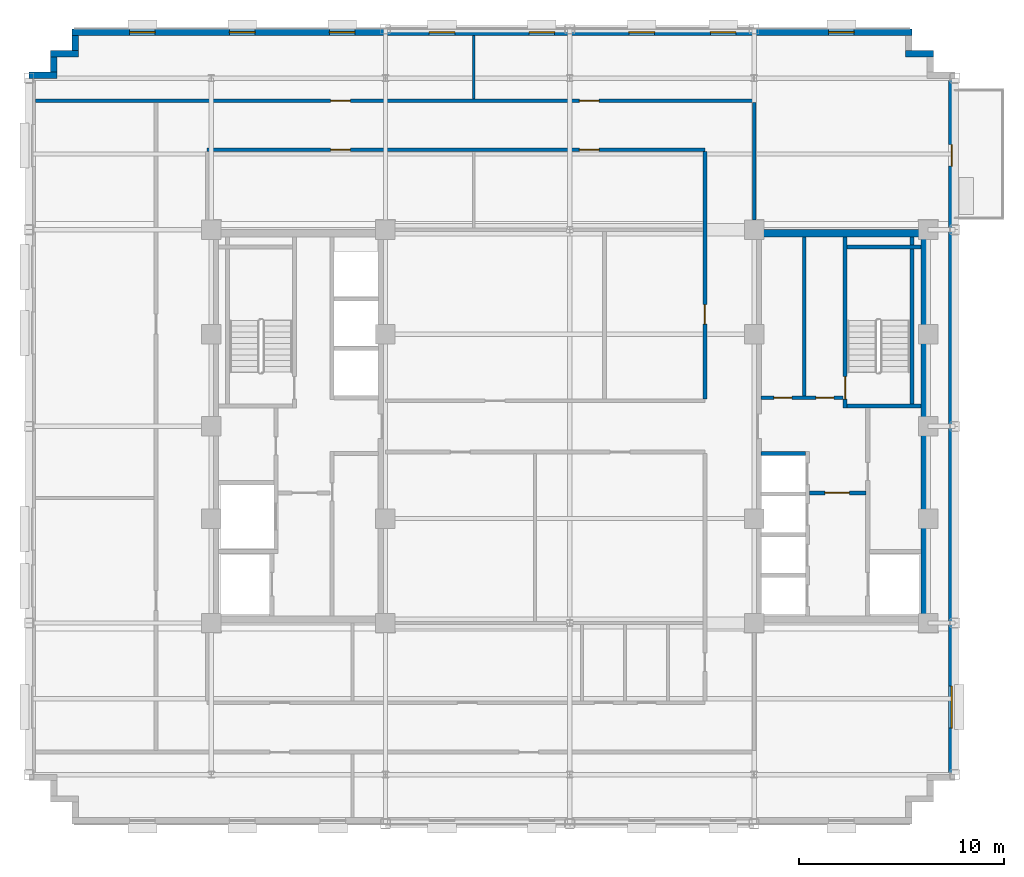
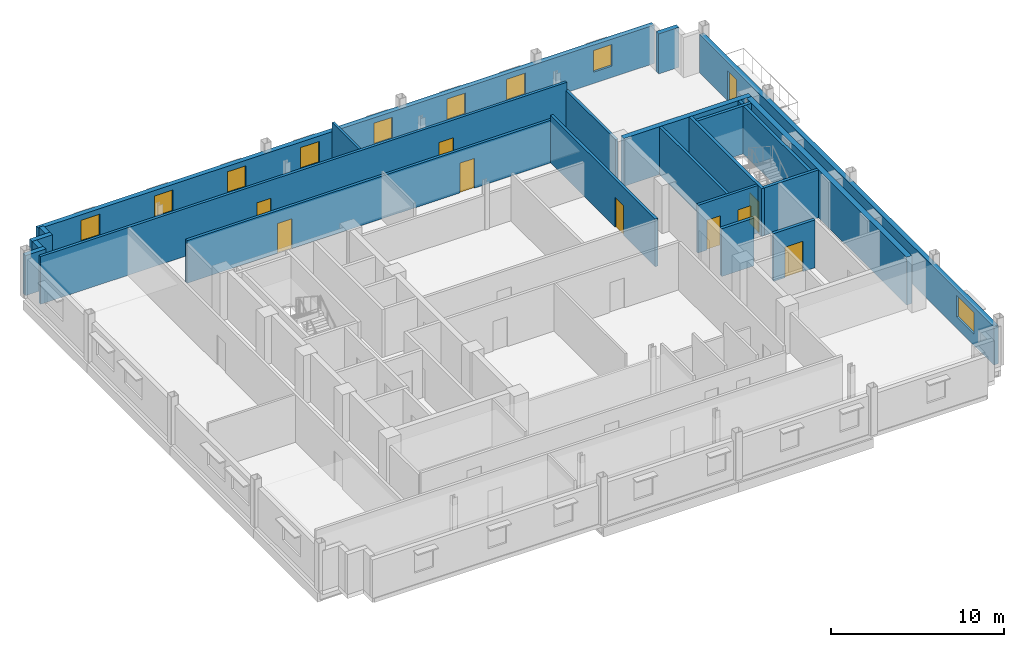
# One storey, part 8 of 13: 22 walls, 10 doors, 9 windows, 19 openings.
"""IFC4 building model written with IfcOpenShell, lengths in metres."""

import ifcopenshell
import ifcopenshell.guid

model = None  # the IFC model being written
_history = None  # IfcOwnerHistory: only IFC2X3 demands one
_inside = {}  # id of a spatial element -> (the spatial element, [elements in it])
_under = {}  # id of a project, library or spatial element -> (it, [spatial elements below it])
_declared = {}  # id of a project -> (the project, [libraries it declares])
_typed = {}  # id of a type object -> (the type object, [elements of that type])
_made_of = {}  # id of a material, layer set ... -> (it, [elements and type objects made of it])


def new_model(schema):
    """Start an empty IFC model of exactly this schema.

    Asked for "IFC4X3", IfcOpenShell would pick the latest addendum, in which some entities
    have other attributes; the version numbers below select the first issue.
    IFC2X3 requires an IfcOwnerHistory on every rooted entity: one is made here for all.
    """
    global model, _history
    if schema == "IFC4X3":
        model = ifcopenshell.file(schema_version=(4, 3, 0, 0))
    else:
        model = ifcopenshell.file(schema=schema)
    _inside.clear()
    _under.clear()
    _declared.clear()
    _typed.clear()
    _made_of.clear()
    _history = None
    if model.schema == "IFC2X3":
        org = make("IfcOrganization", Name="unknown")
        user = make(
            "IfcPersonAndOrganization",
            ThePerson=make("IfcPerson", FamilyName="unknown"),
            TheOrganization=org,
        )
        app = make(
            "IfcApplication",
            ApplicationDeveloper=org,
            Version="unknown",
            ApplicationFullName="unknown",
            ApplicationIdentifier="unknown",
        )
        _history = make(
            "IfcOwnerHistory",
            OwningUser=user,
            OwningApplication=app,
            ChangeAction="ADDED",
            CreationDate=0,
        )
    return model


def make(cls, **values):
    """One entity of the class cls with the attributes given. An attribute that is None is left unset."""
    return model.create_entity(
        cls, **{name: value for name, value in values.items() if value is not None}
    )


def rooted(cls, **values):
    """An entity with a GlobalId (a new one), such as an element, a storey or a relation."""
    return make(cls, GlobalId=ifcopenshell.guid.new(), OwnerHistory=_history, **values)


def si_unit(unit_type, name, prefix=None):
    """IfcSIUnit, for example si_unit("LENGTHUNIT", "METRE", prefix="MILLI")."""
    return make("IfcSIUnit", UnitType=unit_type, Prefix=prefix, Name=name)


def assignment(units):
    """IfcUnitAssignment: the units of a project."""
    return None if units is None else make("IfcUnitAssignment", Units=units)


def point(xyz):
    """IfcCartesianPoint."""
    return None if xyz is None else make("IfcCartesianPoint", Coordinates=xyz)


def direction(xyz):
    """IfcDirection."""
    return None if xyz is None else make("IfcDirection", DirectionRatios=xyz)


def frame(location, z_axis=None, x_axis=None):
    """IfcAxis2Placement3D, a coordinate frame: its origin and axes. An axis left out is left unset."""
    return make(
        "IfcAxis2Placement3D",
        Location=point(location),
        Axis=direction(z_axis),
        RefDirection=direction(x_axis),
    )


def frame_2d(location, x_axis=None):
    """IfcAxis2Placement2D, a coordinate frame in the plane: its origin and x axis."""
    return make(
        "IfcAxis2Placement2D", Location=point(location), RefDirection=direction(x_axis)
    )


def origin():
    """The frame at (0, 0, 0) with its axes left unset."""
    return frame((0.0, 0.0, 0.0))


def place(relative_to, where):
    """IfcLocalPlacement: puts the frame where relative to a parent placement (None: the world)."""
    return make(
        "IfcLocalPlacement", PlacementRelTo=relative_to, RelativePlacement=where
    )


def context(
    kind, dimensions, precision=None, world=None, true_north=None, identifier=None
):
    """IfcGeometricRepresentationContext, for example the 3D "Model" context."""
    return make(
        "IfcGeometricRepresentationContext",
        ContextIdentifier=identifier,
        ContextType=kind,
        CoordinateSpaceDimension=dimensions,
        Precision=precision,
        WorldCoordinateSystem=world,
        TrueNorth=true_north,
    )


def subcontext(parent, identifier, kind, view, scale=None):
    """IfcGeometricRepresentationSubContext, for example "Body" below "Model"."""
    return make(
        "IfcGeometricRepresentationSubContext",
        ContextIdentifier=identifier,
        ContextType=kind,
        ParentContext=parent,
        TargetScale=scale,
        TargetView=view,
    )


def project(units=None, contexts=None):
    """IfcProject with its units and contexts."""
    return rooted(
        "IfcProject",
        Name="project",
        RepresentationContexts=contexts,
        UnitsInContext=assignment(units),
    )


def spatial(cls, under=None, at=None, **own):
    """A site, building, storey or space (cls), placed at a placement, below another one or the project."""
    s = rooted(cls, ObjectPlacement=at, **own)
    if under is not None:
        _under.setdefault(under.id(), (under, []))[1].append(s)
    return s


def profile(cls, at=None, kind="AREA", **sizes):
    """A parametric profile (cls). Its sizes go by their IFC names, for example OverallWidth=200.0."""
    return make(cls, ProfileType=kind, Position=at, **sizes)


def rectangle(**sizes):
    """IfcRectangleProfileDef."""
    return profile("IfcRectangleProfileDef", **sizes)


def extrude(swept, where, along, depth):
    """IfcExtrudedAreaSolid: the profile swept, set in the frame where, extruded along a direction by depth."""
    return make(
        "IfcExtrudedAreaSolid",
        SweptArea=swept,
        Position=where,
        ExtrudedDirection=direction(along),
        Depth=depth,
    )


def shape(context_of_items, identifier, shape_type, items):
    """IfcShapeRepresentation: the items that make up one representation, for example the "Body"."""
    return make(
        "IfcShapeRepresentation",
        ContextOfItems=context_of_items,
        RepresentationIdentifier=identifier,
        RepresentationType=shape_type,
        Items=items,
    )


def source(mapping_origin, context_of_items, identifier, shape_type, items):
    """IfcRepresentationMap: a shape defined once, which mapped items show again and again."""
    return make(
        "IfcRepresentationMap",
        MappingOrigin=mapping_origin,
        MappedRepresentation=shape(context_of_items, identifier, shape_type, items),
    )


def transform(
    local_origin,
    x_axis=None,
    y_axis=None,
    z_axis=None,
    scale=None,
    scale2=None,
    scale3=None,
    uniform=True,
):
    """IfcCartesianTransformationOperator3D, or its non-uniform kind. x_axis, y_axis, z_axis: its Axis1, 2, 3."""
    if uniform:
        return make(
            "IfcCartesianTransformationOperator3D",
            Axis1=direction(x_axis),
            Axis2=direction(y_axis),
            LocalOrigin=point(local_origin),
            Scale=scale,
            Axis3=direction(z_axis),
        )
    return make(
        "IfcCartesianTransformationOperator3DnonUniform",
        Axis1=direction(x_axis),
        Axis2=direction(y_axis),
        LocalOrigin=point(local_origin),
        Scale=scale,
        Axis3=direction(z_axis),
        Scale2=scale2,
        Scale3=scale3,
    )


def mapped(mapping_source, mapping_target):
    """IfcMappedItem: shows the shape of a source again, moved by a transform."""
    return make(
        "IfcMappedItem", MappingSource=mapping_source, MappingTarget=mapping_target
    )


def material(Name=None, Category=None):
    """IfcMaterial."""
    return make("IfcMaterial", Name=Name, Category=Category)


def layer(
    of_material, thickness, ventilated=None, Name=None, Category=None, Priority=None
):
    """IfcMaterialLayer: one layer of a wall or slab, of a material (None: an air gap)."""
    return make(
        "IfcMaterialLayer",
        Material=of_material,
        LayerThickness=thickness,
        IsVentilated=ventilated,
        Name=Name,
        Category=Category,
        Priority=Priority,
    )


def layer_set(layers, Name=None):
    """IfcMaterialLayerSet."""
    return make("IfcMaterialLayerSet", MaterialLayers=layers, LayerSetName=Name)


def made_of(thing, what):
    """Note that an element or type object is made of a material, layer set ...; save() writes the relation."""
    if what is not None:
        _made_of.setdefault(what.id(), (what, []))[1].append(thing)
    return thing


def type_object(cls, material=None, **own):
    """A type object (cls), such as IfcWallType, which elements share."""
    return made_of(rooted(cls, **own), material)


def type_shapes(of_type, sources):
    """Give a type object the sources (RepresentationMaps) that its elements show as mapped items."""
    of_type.RepresentationMaps = sources


def element(
    cls,
    number,
    at=None,
    inside=None,
    cuts=None,
    type_object=None,
    material=None,
    context=None,
    identifier="Body",
    shape_type=None,
    held_by="IfcProductDefinitionShape",
    body=None,
    shapes=None,
    **own,
):
    """One element of the class cls, such as IfcWall. Its Tag is "e" and its number.

    at: its placement. inside: the storey or other place that contains it. cuts: it is an
    opening in that element (IfcRelVoidsElement). A single representation is given by context,
    identifier, shape_type and body (its items); several are given by shapes. held_by: the class
    of the entity that holds the representations. save() writes the other relations.
    """
    e = rooted(cls, Tag="e%d" % number, ObjectPlacement=at, **own)
    if body is not None:
        shapes = [shape(context, identifier, shape_type, body)]
    if shapes is not None:
        e.Representation = make(held_by, Representations=shapes)
    if inside is not None:
        _inside.setdefault(inside.id(), (inside, []))[1].append(e)
    if cuts is not None:
        rooted(
            "IfcRelVoidsElement", RelatingBuildingElement=cuts, RelatedOpeningElement=e
        )
    if type_object is not None:
        _typed.setdefault(type_object.id(), (type_object, []))[1].append(e)
    return made_of(e, material)


def fill(opening, filler):
    """IfcRelFillsElement: the door or window that sits in an opening."""
    return rooted(
        "IfcRelFillsElement",
        RelatingOpeningElement=opening,
        RelatedBuildingElement=filler,
    )


def aggregate(whole, parts):
    """IfcRelAggregates: a whole, such as a stair, and the parts it consists of."""
    return rooted("IfcRelAggregates", RelatingObject=whole, RelatedObjects=parts)


def save(model, path):
    """Write the relations noted so far, then the file.

    IfcRelAggregates (storeys below a building ...), IfcRelContainedInSpatialStructure (elements
    in a storey), IfcRelDefinesByType, IfcRelAssociatesMaterial and IfcRelDeclares: one each for
    every whole, place, type object, material and project.
    """
    for whole, parts in _under.values():
        aggregate(whole, parts)
    for where, things in _inside.values():
        rooted(
            "IfcRelContainedInSpatialStructure",
            RelatedElements=things,
            RelatingStructure=where,
        )
    for kind, things in _typed.values():
        rooted("IfcRelDefinesByType", RelatedObjects=things, RelatingType=kind)
    for what, things in _made_of.values():
        rooted("IfcRelAssociatesMaterial", RelatedObjects=things, RelatingMaterial=what)
    for by, libraries in _declared.values():
        rooted("IfcRelDeclares", RelatingContext=by, RelatedDefinitions=libraries)
    model.write(path)


model = new_model("IFC4")

# Units and contexts
model_context = context("Model", 3, precision=1e-05, world=origin(), true_north=direction((0.0, 1.0)))
body_context = subcontext(model_context, "Body", "Model", "MODEL_VIEW")
ifc_project = project(units=[si_unit("LENGTHUNIT", "METRE"), si_unit("AREAUNIT", "SQUARE_METRE"), si_unit("VOLUMEUNIT", "CUBIC_METRE"), si_unit("PLANEANGLEUNIT", "RADIAN"), si_unit("MASSUNIT", "GRAM", prefix="KILO")], contexts=[model_context])

# Site, building, storey
site_placement = place(None, origin())
site = spatial("IfcSite", under=ifc_project, at=site_placement, CompositionType="ELEMENT")
building_placement = place(site_placement, origin())
building = spatial("IfcBuilding", under=site, at=building_placement, Name="Nuvemarco Arch Tower", CompositionType="ELEMENT")
storey_placement = place(building_placement, frame((0.0, 0.0, 212.800048828125)))
storey = spatial("IfcBuildingStorey", under=building, at=storey_placement, Name="L56", CompositionType="ELEMENT", Elevation=212.800048828125)

# Wall, openings, door, window
ifc_material_1 = material(Name="Precast concrete C45/55", Category="concrete")
ifc_layer_1 = layer(ifc_material_1, 0.31005859375, Name="EW-UPP-310")
ifc_layer_set_1 = layer_set([ifc_layer_1], Name="Precast concrete C45/55")
wall_type_1 = type_object("IfcWallType", Name="EW-UPP-310", PredefinedType="STANDARD", material=ifc_layer_set_1)
wall_1_placement = place(storey_placement, frame((18.64501953125, -16.993896484375, 0.0), z_axis=(0.0, 0.0, 1.0), x_axis=(0.0, 1.0, 0.0)))
wall_1 = element("IfcWall", 1, at=wall_1_placement, inside=storey, type_object=wall_type_1, Name="L56 exterior precast facade wall 6", PredefinedType="STANDARD", context=body_context, shape_type="SweptSolid", body=[
    extrude(rectangle(XDim=33.98779296875, YDim=0.31005859375, at=frame_2d((16.993896484375, 0.0))), origin(), (0.0, 0.0, 1.0), 2.704833984375),
])
opening_1_placement = place(wall_1_placement, frame((30.744140625, 0.0, 0.0), z_axis=(0.0, 0.0, 1.0), x_axis=(-1.0, 0.0, 0.0)))
opening_1 = element("IfcOpeningElement", 2, at=opening_1_placement, cuts=wall_1, Name="Opening ED-5", PredefinedType="OPENING", context=body_context, shape_type="SweptSolid", body=[
    extrude(rectangle(XDim=1.050048828125, YDim=2.10009765625, at=frame_2d((0.52490234375, 1.050048828125))), frame((0.0, 0.1650390625, 0.0), z_axis=(0.0, -1.0, 0.0), x_axis=(1.0, 0.0, 0.0)), (0.0, 0.0, 1.0), 0.330078125),
])
opening_2_placement = place(wall_1_placement, frame((2.260009765625, 0.0, 0.800048828125)))
opening_2 = element("IfcOpeningElement", 3, at=opening_2_placement, cuts=wall_1, Name="Opening WN-12", PredefinedType="OPENING", context=body_context, shape_type="SweptSolid", body=[
    extrude(rectangle(XDim=2.050048828125, YDim=1.52001953125, at=frame_2d((1.02490234375, 0.760009765625))), frame((0.0, 0.1650390625, 0.0), z_axis=(0.0, -1.0, 0.0), x_axis=(1.0, 0.0, 0.0)), (0.0, 0.0, 1.0), 0.330078125),
])
ifc_material_2 = material(Name="Anodised bronze and laminated glass", Category="glass")
door_type_1 = type_object("IfcDoorType", Name="DR-EXT-TERR", OperationType="NOTDEFINED", PredefinedType="DOOR", material=ifc_material_2)
shared_shape_1 = source(origin(), body_context, "Body", "SweptSolid", [
    extrude(rectangle(XDim=1.050048828125, YDim=2.10009765625, at=frame_2d((0.52490234375, 1.050048828125))), frame((0.0, 0.02490234375, 0.0), z_axis=(0.0, -1.0, 0.0), x_axis=(1.0, 0.0, 0.0)), (0.0, 0.0, 1.0), 0.050048828125),
])
type_shapes(door_type_1, [shared_shape_1])
door_1_placement = place(opening_1_placement, origin())
door_1 = element("IfcDoor", 4, at=door_1_placement, inside=storey, type_object=door_type_1, Name="L56 spiral terrace access door", OperationType="SINGLE_SWING_LEFT", OverallHeight=2.10009765625, OverallWidth=1.050048828125, PredefinedType="DOOR", context=body_context, shape_type="MappedRepresentation", body=[
    mapped(shared_shape_1, transform((0.0, 0.0, 0.0), scale=1.0)),
])
fill(opening_1, door_1)
ifc_material_3 = material(Name="Insulated solar-control glass", Category="glass")
window_type_1 = type_object("IfcWindowType", Name="WN-SET-2050x1520", PartitioningType="DOUBLE_PANEL_VERTICAL", PredefinedType="WINDOW", material=ifc_material_3)
shared_shape_2 = source(origin(), body_context, "Body", "SweptSolid", [
    extrude(rectangle(XDim=2.050048828125, YDim=1.52001953125, at=frame_2d((1.02490234375, 0.760009765625))), frame((0.0, 0.030029296875, 0.0), z_axis=(0.0, -1.0, 0.0), x_axis=(1.0, 0.0, 0.0)), (0.0, 0.0, 1.0), 0.06005859375),
])
type_shapes(window_type_1, [shared_shape_2])
window_1_placement = place(opening_2_placement, origin())
window_1 = element("IfcWindow", 5, at=window_1_placement, inside=storey, type_object=window_type_1, Name="L56 punched facade window 1", OverallHeight=1.52001953125, OverallWidth=2.050048828125, PartitioningType="SINGLE_PANEL", PredefinedType="WINDOW", context=body_context, shape_type="MappedRepresentation", body=[
    mapped(shared_shape_2, transform((0.0, 0.0, 0.0), scale=1.0)),
])
fill(opening_2, window_1)

# Wall
wall_2_placement = place(storey_placement, frame((16.389892578125, 18.195068359375, 0.0), z_axis=(0.0, 0.0, 1.0), x_axis=(1.0, 0.0, 0.0)))
element("IfcWall", 6, at=wall_2_placement, inside=storey, type_object=wall_type_1, Name="L56 exterior precast facade wall 9", PredefinedType="STANDARD", context=body_context, shape_type="SweptSolid", body=[
    extrude(rectangle(XDim=1.360107421875, YDim=0.31005859375, at=frame_2d((0.68017578125, 0.0))), origin(), (0.0, 0.0, 1.0), 2.81591796875),
])

# Wall, openings, windows
wall_3_placement = place(storey_placement, frame((-24.300048828125, 19.2451171875, 0.0), z_axis=(0.0, 0.0, 1.0), x_axis=(1.0, 0.0, 0.0)))
wall_3 = element("IfcWall", 7, at=wall_3_placement, inside=storey, type_object=wall_type_1, Name="L56 exterior precast facade wall 11", PredefinedType="STANDARD", context=body_context, shape_type="SweptSolid", body=[
    extrude(rectangle(XDim=41.0, YDim=0.31005859375, at=frame_2d((20.5, 0.0))), origin(), (0.0, 0.0, 1.0), 2.704833984375),
])
opening_3_placement = place(wall_3_placement, frame((2.8125, 0.0, 0.800048828125)))
opening_3 = element("IfcOpeningElement", 8, at=opening_3_placement, cuts=wall_3, Name="Opening WN-13", PredefinedType="OPENING", context=body_context, shape_type="SweptSolid", body=[
    extrude(rectangle(XDim=1.25, YDim=1.52001953125, at=frame_2d((0.625, 0.760009765625))), frame((0.0, 0.1650390625, 0.0), z_axis=(0.0, -1.0, 0.0), x_axis=(1.0, 0.0, 0.0)), (0.0, 0.0, 1.0), 0.330078125),
])
opening_4_placement = place(wall_3_placement, frame((7.6875, 0.0, 0.800048828125)))
opening_4 = element("IfcOpeningElement", 9, at=opening_4_placement, cuts=wall_3, Name="Opening WN-13", PredefinedType="OPENING", context=body_context, shape_type="SweptSolid", body=[
    extrude(rectangle(XDim=1.25, YDim=1.52001953125, at=frame_2d((0.625, 0.760009765625))), frame((0.0, 0.1650390625, 0.0), z_axis=(0.0, -1.0, 0.0), x_axis=(1.0, 0.0, 0.0)), (0.0, 0.0, 1.0), 0.330078125),
])
opening_5_placement = place(wall_3_placement, frame((12.5625, 0.0, 0.800048828125)))
opening_5 = element("IfcOpeningElement", 10, at=opening_5_placement, cuts=wall_3, Name="Opening WN-13", PredefinedType="OPENING", context=body_context, shape_type="SweptSolid", body=[
    extrude(rectangle(XDim=1.25, YDim=1.52001953125, at=frame_2d((0.625, 0.760009765625))), frame((0.0, 0.1650390625, 0.0), z_axis=(0.0, -1.0, 0.0), x_axis=(1.0, 0.0, 0.0)), (0.0, 0.0, 1.0), 0.330078125),
])
opening_6_placement = place(wall_3_placement, frame((17.4375, 0.0, 0.800048828125)))
opening_6 = element("IfcOpeningElement", 11, at=opening_6_placement, cuts=wall_3, Name="Opening WN-13", PredefinedType="OPENING", context=body_context, shape_type="SweptSolid", body=[
    extrude(rectangle(XDim=1.25, YDim=1.52001953125, at=frame_2d((0.625, 0.760009765625))), frame((0.0, 0.1650390625, 0.0), z_axis=(0.0, -1.0, 0.0), x_axis=(1.0, 0.0, 0.0)), (0.0, 0.0, 1.0), 0.330078125),
])
opening_7_placement = place(wall_3_placement, frame((22.3125, 0.0, 0.800048828125)))
opening_7 = element("IfcOpeningElement", 12, at=opening_7_placement, cuts=wall_3, Name="Opening WN-13", PredefinedType="OPENING", context=body_context, shape_type="SweptSolid", body=[
    extrude(rectangle(XDim=1.25, YDim=1.52001953125, at=frame_2d((0.625, 0.760009765625))), frame((0.0, 0.1650390625, 0.0), z_axis=(0.0, -1.0, 0.0), x_axis=(1.0, 0.0, 0.0)), (0.0, 0.0, 1.0), 0.330078125),
])
opening_8_placement = place(wall_3_placement, frame((27.1875, 0.0, 0.800048828125)))
opening_8 = element("IfcOpeningElement", 13, at=opening_8_placement, cuts=wall_3, Name="Opening WN-13", PredefinedType="OPENING", context=body_context, shape_type="SweptSolid", body=[
    extrude(rectangle(XDim=1.25, YDim=1.52001953125, at=frame_2d((0.625, 0.760009765625))), frame((0.0, 0.1650390625, 0.0), z_axis=(0.0, -1.0, 0.0), x_axis=(1.0, 0.0, 0.0)), (0.0, 0.0, 1.0), 0.330078125),
])
opening_9_placement = place(wall_3_placement, frame((31.16259765625, 0.0, 0.800048828125)))
opening_9 = element("IfcOpeningElement", 14, at=opening_9_placement, cuts=wall_3, Name="Opening WN-13", PredefinedType="OPENING", context=body_context, shape_type="SweptSolid", body=[
    extrude(rectangle(XDim=1.25, YDim=1.52001953125, at=frame_2d((0.625, 0.760009765625))), frame((0.0, 0.1650390625, 0.0), z_axis=(0.0, -1.0, 0.0), x_axis=(1.0, 0.0, 0.0)), (0.0, 0.0, 1.0), 0.330078125),
])
opening_10_placement = place(wall_3_placement, frame((36.9375, 0.0, 0.800048828125)))
opening_10 = element("IfcOpeningElement", 15, at=opening_10_placement, cuts=wall_3, Name="Opening WN-13", PredefinedType="OPENING", context=body_context, shape_type="SweptSolid", body=[
    extrude(rectangle(XDim=1.25, YDim=1.52001953125, at=frame_2d((0.625, 0.760009765625))), frame((0.0, 0.1650390625, 0.0), z_axis=(0.0, -1.0, 0.0), x_axis=(1.0, 0.0, 0.0)), (0.0, 0.0, 1.0), 0.330078125),
])
window_type_2 = type_object("IfcWindowType", Name="WN-SET-1250x1520", PartitioningType="SINGLE_PANEL", PredefinedType="WINDOW", material=ifc_material_3)
shared_shape_3 = source(origin(), body_context, "Body", "SweptSolid", [
    extrude(rectangle(XDim=1.25, YDim=1.52001953125, at=frame_2d((0.625, 0.760009765625))), frame((0.0, 0.030029296875, 0.0), z_axis=(0.0, -1.0, 0.0), x_axis=(1.0, 0.0, 0.0)), (0.0, 0.0, 1.0), 0.06005859375),
])
type_shapes(window_type_2, [shared_shape_3])
window_2_placement = place(opening_3_placement, origin())
window_2 = element("IfcWindow", 16, at=window_2_placement, inside=storey, type_object=window_type_2, Name="L56 punched facade window 1", OverallHeight=1.52001953125, OverallWidth=1.25, PartitioningType="SINGLE_PANEL", PredefinedType="WINDOW", context=body_context, shape_type="MappedRepresentation", body=[
    mapped(shared_shape_3, transform((0.0, 0.0, 0.0), scale=1.0)),
])
fill(opening_3, window_2)
window_3_placement = place(opening_4_placement, origin())
window_3 = element("IfcWindow", 17, at=window_3_placement, inside=storey, type_object=window_type_2, Name="L56 punched facade window 2", OverallHeight=1.52001953125, OverallWidth=1.25, PartitioningType="SINGLE_PANEL", PredefinedType="WINDOW", context=body_context, shape_type="MappedRepresentation", body=[
    mapped(shared_shape_3, transform((0.0, 0.0, 0.0), scale=1.0)),
])
fill(opening_4, window_3)
window_4_placement = place(opening_5_placement, origin())
window_4 = element("IfcWindow", 18, at=window_4_placement, inside=storey, type_object=window_type_2, Name="L56 punched facade window 3", OverallHeight=1.52001953125, OverallWidth=1.25, PartitioningType="SINGLE_PANEL", PredefinedType="WINDOW", context=body_context, shape_type="MappedRepresentation", body=[
    mapped(shared_shape_3, transform((0.0, 0.0, 0.0), scale=1.0)),
])
fill(opening_5, window_4)
window_5_placement = place(opening_6_placement, origin())
window_5 = element("IfcWindow", 19, at=window_5_placement, inside=storey, type_object=window_type_2, Name="L56 punched facade window 4", OverallHeight=1.52001953125, OverallWidth=1.25, PartitioningType="SINGLE_PANEL", PredefinedType="WINDOW", context=body_context, shape_type="MappedRepresentation", body=[
    mapped(shared_shape_3, transform((0.0, 0.0, 0.0), scale=1.0)),
])
fill(opening_6, window_5)
window_6_placement = place(opening_7_placement, origin())
window_6 = element("IfcWindow", 20, at=window_6_placement, inside=storey, type_object=window_type_2, Name="L56 punched facade window 5", OverallHeight=1.52001953125, OverallWidth=1.25, PartitioningType="SINGLE_PANEL", PredefinedType="WINDOW", context=body_context, shape_type="MappedRepresentation", body=[
    mapped(shared_shape_3, transform((0.0, 0.0, 0.0), scale=1.0)),
])
fill(opening_7, window_6)
window_7_placement = place(opening_8_placement, origin())
window_7 = element("IfcWindow", 21, at=window_7_placement, inside=storey, type_object=window_type_2, Name="L56 punched facade window 6", OverallHeight=1.52001953125, OverallWidth=1.25, PartitioningType="SINGLE_PANEL", PredefinedType="WINDOW", context=body_context, shape_type="MappedRepresentation", body=[
    mapped(shared_shape_3, transform((0.0, 0.0, 0.0), scale=1.0)),
])
fill(opening_8, window_7)
window_8_placement = place(opening_9_placement, origin())
window_8 = element("IfcWindow", 22, at=window_8_placement, inside=storey, type_object=window_type_2, Name="L56 punched facade window 7", OverallHeight=1.52001953125, OverallWidth=1.25, PartitioningType="SINGLE_PANEL", PredefinedType="WINDOW", context=body_context, shape_type="MappedRepresentation", body=[
    mapped(shared_shape_3, transform((0.0, 0.0, 0.0), scale=1.0)),
])
fill(opening_9, window_8)
window_9_placement = place(opening_10_placement, origin())
window_9 = element("IfcWindow", 23, at=window_9_placement, inside=storey, type_object=window_type_2, Name="L56 punched facade window 8", OverallHeight=1.52001953125, OverallWidth=1.25, PartitioningType="SINGLE_PANEL", PredefinedType="WINDOW", context=body_context, shape_type="MappedRepresentation", body=[
    mapped(shared_shape_3, transform((0.0, 0.0, 0.0), scale=1.0)),
])
fill(opening_10, window_9)

# Walls
wall_4_placement = place(storey_placement, frame((-24.14501953125, 18.345947265625, 0.0), z_axis=(0.0, 0.0, 1.0), x_axis=(0.0, 1.0, 0.0)))
element("IfcWall", 24, at=wall_4_placement, inside=storey, type_object=wall_type_1, Name="L56 exterior precast facade wall 12", PredefinedType="STANDARD", context=body_context, shape_type="SweptSolid", body=[
    extrude(rectangle(XDim=0.748046875, YDim=0.31005859375, at=frame_2d((0.3740234375, 0.0))), origin(), (0.0, 0.0, 1.0), 2.81591796875),
])
wall_5_placement = place(storey_placement, frame((-25.35009765625, 18.195068359375, 0.0), z_axis=(0.0, 0.0, 1.0), x_axis=(1.0, 0.0, 0.0)))
element("IfcWall", 25, at=wall_5_placement, inside=storey, type_object=wall_type_1, Name="L56 exterior precast facade wall 13", PredefinedType="STANDARD", context=body_context, shape_type="SweptSolid", body=[
    extrude(rectangle(XDim=1.360107421875, YDim=0.31005859375, at=frame_2d((0.68017578125, 0.0))), origin(), (0.0, 0.0, 1.0), 2.81591796875),
])
wall_6_placement = place(storey_placement, frame((-25.195068359375, 17.2958984375, 0.0), z_axis=(0.0, 0.0, 1.0), x_axis=(0.0, 1.0, 0.0)))
element("IfcWall", 26, at=wall_6_placement, inside=storey, type_object=wall_type_1, Name="L56 exterior precast facade wall 14", PredefinedType="STANDARD", context=body_context, shape_type="SweptSolid", body=[
    extrude(rectangle(XDim=0.748046875, YDim=0.31005859375, at=frame_2d((0.3740234375, 0.0))), origin(), (0.0, 0.0, 1.0), 2.81591796875),
])
wall_7_placement = place(storey_placement, frame((-26.39990234375, 17.14501953125, 0.0), z_axis=(0.0, 0.0, 1.0), x_axis=(1.0, 0.0, 0.0)))
element("IfcWall", 27, at=wall_7_placement, inside=storey, type_object=wall_type_1, Name="L56 exterior precast facade wall 15", PredefinedType="STANDARD", context=body_context, shape_type="SweptSolid", body=[
    extrude(rectangle(XDim=1.35986328125, YDim=0.31005859375, at=frame_2d((0.679931640625, 0.0))), origin(), (0.0, 0.0, 1.0), 2.81591796875),
])
ifc_material_4 = material(Name="Concrete C50/60", Category="concrete")
ifc_layer_2 = layer(ifc_material_4, 0.35009765625, Name="WL-CORE-350")
ifc_layer_set_2 = layer_set([ifc_layer_2], Name="Concrete C50/60")
wall_type_2 = type_object("IfcWallType", Name="WL-CORE-350", PredefinedType="SHEAR", material=ifc_layer_set_2)
wall_8_placement = place(storey_placement, frame((9.0, 9.425048828125, 0.0), z_axis=(0.0, 0.0, 1.0), x_axis=(1.0, 0.0, 0.0)))
element("IfcWall", 28, at=wall_8_placement, inside=storey, type_object=wall_type_2, Name="L56 E-core shear wall N", PredefinedType="SHEAR", context=body_context, shape_type="SweptSolid", body=[
    extrude(rectangle(XDim=8.5, YDim=0.35009765625, at=frame_2d((4.25, 0.0))), origin(), (0.0, 0.0, 1.0), 3.369873046875),
])
wall_9_placement = place(storey_placement, frame((17.324951171875, -9.2548828125, 0.0), z_axis=(0.0, 0.0, 1.0), x_axis=(0.0, 1.0, 0.0)))
element("IfcWall", 29, at=wall_9_placement, inside=storey, type_object=wall_type_2, Name="L56 E-core shear wall E", PredefinedType="SHEAR", context=body_context, shape_type="SweptSolid", body=[
    extrude(rectangle(XDim=18.509765625, YDim=0.35009765625, at=frame_2d((9.2548828125, 0.0))), origin(), (0.0, 0.0, 1.0), 3.369873046875),
])

# Wall, openings, doors
ifc_material_5 = material(Name="Fire-rated gypsum drywall partition")
ifc_layer_3 = layer(ifc_material_5, 0.179931640625, Name="WL-CORR-180")
ifc_layer_set_3 = layer_set([ifc_layer_3], Name="Fire-rated gypsum drywall partition")
wall_type_3 = type_object("IfcWallType", Name="WL-CORR-180", PredefinedType="PARTITIONING", material=ifc_layer_set_3)
wall_10_placement = place(storey_placement, frame((9.344970703125, 1.39990234375, 0.0), z_axis=(0.0, 0.0, 1.0), x_axis=(1.0, 0.0, 0.0)))
wall_10 = element("IfcWall", 30, at=wall_10_placement, inside=storey, type_object=wall_type_3, Name="L56 interior wall IW-L56-EK-S", PredefinedType="PARTITIONING", context=body_context, shape_type="SweptSolid", body=[
    extrude(rectangle(XDim=4.0, YDim=0.179931640625, at=frame_2d((2.0, 0.0))), origin(), (0.0, 0.0, 1.0), 3.35986328125),
])
opening_11_placement = place(wall_10_placement, frame((0.614990234375, 0.0, 0.0)))
opening_11 = element("IfcOpeningElement", 31, at=opening_11_placement, cuts=wall_10, Name="Opening FD-4", PredefinedType="OPENING", context=body_context, shape_type="SweptSolid", body=[
    extrude(rectangle(XDim=0.8798828125, YDim=2.10009765625, at=frame_2d((0.43994140625, 1.050048828125))), frame((0.0, 0.099853515625, 0.0), z_axis=(0.0, -1.0, 0.0), x_axis=(1.0, 0.0, 0.0)), (0.0, 0.0, 1.0), 0.199951171875),
])
opening_12_placement = place(wall_10_placement, frame((2.6650390625, 0.0, 0.0)))
opening_12 = element("IfcOpeningElement", 32, at=opening_12_placement, cuts=wall_10, Name="Opening FD-4", PredefinedType="OPENING", context=body_context, shape_type="SweptSolid", body=[
    extrude(rectangle(XDim=0.8798828125, YDim=2.10009765625, at=frame_2d((0.43994140625, 1.050048828125))), frame((0.0, 0.099853515625, 0.0), z_axis=(0.0, -1.0, 0.0), x_axis=(1.0, 0.0, 0.0)), (0.0, 0.0, 1.0), 0.199951171875),
])
ifc_material_6 = material(Name="Anodised steel fire door", Category="steel")
door_type_2 = type_object("IfcDoorType", Name="DR-RISER-FD", OperationType="NOTDEFINED", PredefinedType="DOOR", material=ifc_material_6)
shared_shape_4 = source(origin(), body_context, "Body", "SweptSolid", [
    extrude(rectangle(XDim=0.8798828125, YDim=2.10009765625, at=frame_2d((0.43994140625, 1.050048828125))), frame((0.0, 0.02490234375, 0.0), z_axis=(0.0, -1.0, 0.0), x_axis=(1.0, 0.0, 0.0)), (0.0, 0.0, 1.0), 0.050048828125),
])
type_shapes(door_type_2, [shared_shape_4])
door_2_placement = place(opening_11_placement, origin())
door_2 = element("IfcDoor", 33, at=door_2_placement, inside=storey, type_object=door_type_2, Name="L56 door FD-L56-EK2A", OperationType="SINGLE_SWING_RIGHT", OverallHeight=2.10009765625, OverallWidth=0.8798828125, PredefinedType="DOOR", context=body_context, shape_type="MappedRepresentation", body=[
    mapped(shared_shape_4, transform((0.0, 0.0, 0.0), scale=1.0)),
])
fill(opening_11, door_2)
door_3_placement = place(opening_12_placement, origin())
door_3 = element("IfcDoor", 34, at=door_3_placement, inside=storey, type_object=door_type_2, Name="L56 door FD-L56-EK2B", OperationType="SINGLE_SWING_LEFT", OverallHeight=2.10009765625, OverallWidth=0.8798828125, PredefinedType="DOOR", context=body_context, shape_type="MappedRepresentation", body=[
    mapped(shared_shape_4, transform((0.0, 0.0, 0.0), scale=1.0)),
])
fill(opening_12, door_3)

# Wall
wall_11_placement = place(storey_placement, frame((11.449951171875, 1.489990234375, 0.0), z_axis=(0.0, 0.0, 1.0), x_axis=(0.0, 1.0, 0.0)))
element("IfcWall", 35, at=wall_11_placement, inside=storey, type_object=wall_type_3, Name="L56 interior wall IW-L56-EK2", PredefinedType="PARTITIONING", context=body_context, shape_type="SweptSolid", body=[
    extrude(rectangle(XDim=7.764892578125, YDim=0.179931640625, at=frame_2d((3.88232421875, 0.0))), origin(), (0.0, 0.0, 1.0), 3.35986328125),
])

# Wall, openings, doors
wall_12_placement = place(storey_placement, frame((-17.699951171875, 13.5, 0.0), z_axis=(0.0, 0.0, 1.0), x_axis=(1.0, 0.0, 0.0)))
wall_12 = element("IfcWall", 36, at=wall_12_placement, inside=storey, type_object=wall_type_3, Name="L56 interior wall IW-L56-010", PredefinedType="PARTITIONING", context=body_context, shape_type="SweptSolid", body=[
    extrude(rectangle(XDim=24.300048828125, YDim=0.179931640625, at=frame_2d((12.14990234375, 0.0))), origin(), (0.0, 0.0, 1.0), 3.008056640625),
])
opening_13_placement = place(wall_12_placement, frame((6.02490234375, 0.0, 0.0)))
opening_13 = element("IfcOpeningElement", 37, at=opening_13_placement, cuts=wall_12, Name="Opening FD-5", PredefinedType="OPENING", context=body_context, shape_type="SweptSolid", body=[
    extrude(rectangle(XDim=0.9599609375, YDim=2.10009765625, at=frame_2d((0.47998046875, 1.050048828125))), frame((0.0, 0.099853515625, 0.0), z_axis=(0.0, -1.0, 0.0), x_axis=(1.0, 0.0, 0.0)), (0.0, 0.0, 1.0), 0.199951171875),
])
opening_14_placement = place(wall_12_placement, frame((18.175048828125, 0.0, 0.0)))
opening_14 = element("IfcOpeningElement", 38, at=opening_14_placement, cuts=wall_12, Name="Opening FD-5", PredefinedType="OPENING", context=body_context, shape_type="SweptSolid", body=[
    extrude(rectangle(XDim=0.9599609375, YDim=2.10009765625, at=frame_2d((0.47998046875, 1.050048828125))), frame((0.0, 0.099853515625, 0.0), z_axis=(0.0, -1.0, 0.0), x_axis=(1.0, 0.0, 0.0)), (0.0, 0.0, 1.0), 0.199951171875),
])
ifc_material_7 = material(Name="Timber fire door", Category="wood")
door_type_3 = type_object("IfcDoorType", Name="DR-CORR-FD", OperationType="NOTDEFINED", PredefinedType="DOOR", material=ifc_material_7)
shared_shape_5 = source(origin(), body_context, "Body", "SweptSolid", [
    extrude(rectangle(XDim=0.9599609375, YDim=2.10009765625, at=frame_2d((0.47998046875, 1.050048828125))), frame((0.0, 0.02490234375, 0.0), z_axis=(0.0, -1.0, 0.0), x_axis=(1.0, 0.0, 0.0)), (0.0, 0.0, 1.0), 0.050048828125),
])
type_shapes(door_type_3, [shared_shape_5])
door_4_placement = place(opening_13_placement, origin())
door_4 = element("IfcDoor", 39, at=door_4_placement, inside=storey, type_object=door_type_3, Name="L56 door DR-L56-IN_N1", OperationType="SINGLE_SWING_LEFT", OverallHeight=2.10009765625, OverallWidth=0.9599609375, PredefinedType="DOOR", context=body_context, shape_type="MappedRepresentation", body=[
    mapped(shared_shape_5, transform((0.0, 0.0, 0.0), scale=1.0)),
])
fill(opening_13, door_4)
door_5_placement = place(opening_14_placement, origin())
door_5 = element("IfcDoor", 40, at=door_5_placement, inside=storey, type_object=door_type_3, Name="L56 door DR-L56-N_2_2", OperationType="SINGLE_SWING_LEFT", OverallHeight=2.10009765625, OverallWidth=0.9599609375, PredefinedType="DOOR", context=body_context, shape_type="MappedRepresentation", body=[
    mapped(shared_shape_5, transform((0.0, 0.0, 0.0), scale=1.0)),
])
fill(opening_14, door_5)

wall_13_placement = place(storey_placement, frame((-26.090087890625, 15.89990234375, 0.0), z_axis=(0.0, 0.0, 1.0), x_axis=(1.0, 0.0, 0.0)))
wall_13 = element("IfcWall", 41, at=wall_13_placement, inside=storey, type_object=wall_type_3, Name="L56 interior wall IW-L56-011", PredefinedType="PARTITIONING", context=body_context, shape_type="SweptSolid", body=[
    extrude(rectangle(XDim=35.090087890625, YDim=0.179931640625, at=frame_2d((17.544921875, 0.0))), origin(), (0.0, 0.0, 1.0), 3.35986328125),
])
opening_15_placement = place(wall_13_placement, frame((14.4150390625, 0.0, 0.0)))
opening_15 = element("IfcOpeningElement", 42, at=opening_15_placement, cuts=wall_13, Name="Opening FD-5", PredefinedType="OPENING", context=body_context, shape_type="SweptSolid", body=[
    extrude(rectangle(XDim=0.9599609375, YDim=2.10009765625, at=frame_2d((0.47998046875, 1.050048828125))), frame((0.0, 0.099853515625, 0.0), z_axis=(0.0, -1.0, 0.0), x_axis=(1.0, 0.0, 0.0)), (0.0, 0.0, 1.0), 0.199951171875),
])
opening_16_placement = place(wall_13_placement, frame((26.56494140625, 0.0, 0.0)))
opening_16 = element("IfcOpeningElement", 43, at=opening_16_placement, cuts=wall_13, Name="Opening FD-5", PredefinedType="OPENING", context=body_context, shape_type="SweptSolid", body=[
    extrude(rectangle(XDim=0.9599609375, YDim=2.10009765625, at=frame_2d((0.47998046875, 1.050048828125))), frame((0.0, 0.099853515625, 0.0), z_axis=(0.0, -1.0, 0.0), x_axis=(1.0, 0.0, 0.0)), (0.0, 0.0, 1.0), 0.199951171875),
])
door_6_placement = place(opening_15_placement, origin())
door_6 = element("IfcDoor", 44, at=door_6_placement, inside=storey, type_object=door_type_3, Name="L56 door DR-L56-N_1", OperationType="SINGLE_SWING_RIGHT", OverallHeight=2.10009765625, OverallWidth=0.9599609375, PredefinedType="DOOR", context=body_context, shape_type="MappedRepresentation", body=[
    mapped(shared_shape_5, transform((0.0, 0.0, 0.0), scale=1.0)),
])
fill(opening_15, door_6)
door_7_placement = place(opening_16_placement, origin())
door_7 = element("IfcDoor", 45, at=door_7_placement, inside=storey, type_object=door_type_3, Name="L56 door DR-L56-N_2", OperationType="SINGLE_SWING_RIGHT", OverallHeight=2.10009765625, OverallWidth=0.9599609375, PredefinedType="DOOR", context=body_context, shape_type="MappedRepresentation", body=[
    mapped(shared_shape_5, transform((0.0, 0.0, 0.0), scale=1.0)),
])
fill(opening_16, door_7)

# Wall, opening, door
wall_14_placement = place(storey_placement, frame((6.60009765625, 1.3359375, 0.0), z_axis=(0.0, 0.0, 1.0), x_axis=(0.0, 1.0, 0.0)))
wall_14 = element("IfcWall", 46, at=wall_14_placement, inside=storey, type_object=wall_type_3, Name="L56 interior wall IW-L56-025", PredefinedType="PARTITIONING", context=body_context, shape_type="SweptSolid", body=[
    extrude(rectangle(XDim=12.078125, YDim=0.179931640625, at=frame_2d((6.0390625, 0.0))), origin(), (0.0, 0.0, 1.0), 3.35986328125),
])
opening_17_placement = place(wall_14_placement, frame((3.652099609375, 0.0, 0.0)))
opening_17 = element("IfcOpeningElement", 47, at=opening_17_placement, cuts=wall_14, Name="Opening FD-5", PredefinedType="OPENING", context=body_context, shape_type="SweptSolid", body=[
    extrude(rectangle(XDim=0.9599609375, YDim=2.10009765625, at=frame_2d((0.47998046875, 1.050048828125))), frame((0.0, 0.099853515625, 0.0), z_axis=(0.0, -1.0, 0.0), x_axis=(1.0, 0.0, 0.0)), (0.0, 0.0, 1.0), 0.199951171875),
])
door_8_placement = place(opening_17_placement, origin())
door_8 = element("IfcDoor", 48, at=door_8_placement, inside=storey, type_object=door_type_3, Name="L56 door DR-L56-C_NE", OperationType="SINGLE_SWING_RIGHT", OverallHeight=2.10009765625, OverallWidth=0.9599609375, PredefinedType="DOOR", context=body_context, shape_type="MappedRepresentation", body=[
    mapped(shared_shape_5, transform((0.0, 0.0, 0.0), scale=1.0)),
])
fill(opening_17, door_8)

# Walls
wall_15_placement = place(storey_placement, frame((9.0, 10.071044921875, 0.0), z_axis=(0.0, 0.0, 1.0), x_axis=(0.0, 1.0, 0.0)))
element("IfcWall", 49, at=wall_15_placement, inside=storey, type_object=wall_type_3, Name="L56 interior wall IW-L56-027", PredefinedType="PARTITIONING", context=body_context, shape_type="SweptSolid", body=[
    extrude(rectangle(XDim=5.742919921875, YDim=0.179931640625, at=frame_2d((2.87158203125, 0.0))), origin(), (0.0, 0.0, 1.0), 2.81591796875),
])
ifc_material_8 = material(Name="Gypsum plasterboard partition")
ifc_layer_4 = layer(ifc_material_8, 0.139892578125, Name="WL-ROOM-140")
ifc_layer_set_4 = layer_set([ifc_layer_4], Name="Gypsum plasterboard partition")
wall_type_4 = type_object("IfcWallType", Name="WL-ROOM-140", PredefinedType="PARTITIONING", material=ifc_layer_set_4)
wall_16_placement = place(storey_placement, frame((-4.68994140625, 15.986083984375, 0.0), z_axis=(0.0, 0.0, 1.0), x_axis=(0.0, 1.0, 0.0)))
element("IfcWall", 50, at=wall_16_placement, inside=storey, type_object=wall_type_4, Name="L56 interior wall IW-L56-018", PredefinedType="PARTITIONING", context=body_context, shape_type="SweptSolid", body=[
    extrude(rectangle(XDim=3.10400390625, YDim=0.139892578125, at=frame_2d((1.552001953125, 0.0))), origin(), (0.0, 0.0, 1.0), 3.35986328125),
])

# Wall, opening, door
ifc_layer_5 = layer(ifc_material_4, 0.199951171875, Name="WL-SHAFT-220")
ifc_layer_set_5 = layer_set([ifc_layer_5], Name="Concrete C50/60")
wall_type_5 = type_object("IfcWallType", Name="WL-SHAFT-220", PredefinedType="SHEAR", material=ifc_layer_set_5)
wall_17_placement = place(storey_placement, frame((13.43994140625, 0.89990234375, 0.0), z_axis=(0.0, 0.0, 1.0), x_axis=(0.0, 1.0, 0.0)))
wall_17 = element("IfcWall", 51, at=wall_17_placement, inside=storey, type_object=wall_type_5, Name="L56 structural shaft wall SW-L56-E-ST2W", PredefinedType="SHEAR", context=body_context, shape_type="SweptSolid", body=[
    extrude(rectangle(XDim=8.35498046875, YDim=0.199951171875, at=frame_2d((4.177490234375, 0.0))), origin(), (0.0, 0.0, 1.0), 3.369873046875),
])
opening_18_placement = place(wall_17_placement, frame((0.429931640625, 0.0, 0.0)))
opening_18 = element("IfcOpeningElement", 52, at=opening_18_placement, cuts=wall_17, Name="Opening FD-1", PredefinedType="OPENING", context=body_context, shape_type="SweptSolid", body=[
    extrude(rectangle(XDim=1.10009765625, YDim=2.14990234375, at=frame_2d((0.550048828125, 1.074951171875))), frame((0.0, 0.10986328125, 0.0), z_axis=(0.0, -1.0, 0.0), x_axis=(1.0, 0.0, 0.0)), (0.0, 0.0, 1.0), 0.219970703125),
])
door_type_4 = type_object("IfcDoorType", Name="DR-STAIR-FD", OperationType="NOTDEFINED", PredefinedType="DOOR", material=ifc_material_6)
shared_shape_6 = source(origin(), body_context, "Body", "SweptSolid", [
    extrude(rectangle(XDim=1.10009765625, YDim=2.14990234375, at=frame_2d((0.550048828125, 1.074951171875))), frame((0.0, 0.02490234375, 0.0), z_axis=(0.0, -1.0, 0.0), x_axis=(1.0, 0.0, 0.0)), (0.0, 0.0, 1.0), 0.050048828125),
])
type_shapes(door_type_4, [shared_shape_6])
door_9_placement = place(opening_18_placement, origin())
door_9 = element("IfcDoor", 53, at=door_9_placement, inside=storey, type_object=door_type_4, Name="L56 door FD-L56-ST2", OperationType="SINGLE_SWING_RIGHT", OverallHeight=2.14990234375, OverallWidth=1.10009765625, PredefinedType="DOOR", context=body_context, shape_type="MappedRepresentation", body=[
    mapped(shared_shape_6, transform((0.0, 0.0, 0.0), scale=1.0)),
])
fill(opening_18, door_9)

# Walls
for number, where, z_axis, x_axis, name in (
    (54, (13.534912109375, 1.0, 0.0), (0.0, 0.0, 1.0), (1.0, 0.0, 0.0), "L56 structural shaft wall SW-L56-E-ST2S"),
    (55, (13.534912109375, 8.75, 0.0), (0.0, 0.0, 1.0), (1.0, 0.0, 0.0), "L56 structural shaft wall SW-L56-E-ST2N"),
):
    element("IfcWall", number, at=place(storey_placement, frame(where, z_axis=z_axis, x_axis=x_axis)), inside=storey, type_object=wall_type_5, Name=name, PredefinedType="SHEAR", context=body_context, shape_type="SweptSolid", body=[
        extrude(rectangle(XDim=3.6201171875, YDim=0.199951171875, at=frame_2d((1.81005859375, 0.0))), origin(), (0.0, 0.0, 1.0), 3.369873046875),
    ])
wall_18_placement = place(storey_placement, frame((16.699951171875, 1.094970703125, 0.0), z_axis=(0.0, 0.0, 1.0), x_axis=(0.0, 1.0, 0.0)))
element("IfcWall", 56, at=wall_18_placement, inside=storey, type_object=wall_type_5, Name="L56 structural shaft wall SW-L56-E-ST2E", PredefinedType="SHEAR", context=body_context, shape_type="SweptSolid", body=[
    extrude(rectangle(XDim=8.159912109375, YDim=0.199951171875, at=frame_2d((4.080078125, 0.0))), origin(), (0.0, 0.0, 1.0), 3.369873046875),
])

# Wall, opening, door
wall_19_placement = place(storey_placement, frame((11.695068359375, -3.25, 0.0), z_axis=(0.0, 0.0, 1.0), x_axis=(1.0, 0.0, 0.0)))
wall_19 = element("IfcWall", 57, at=wall_19_placement, inside=storey, type_object=wall_type_5, Name="L56 structural shaft wall SW-L56-E-FFN", PredefinedType="SHEAR", context=body_context, shape_type="SweptSolid", body=[
    extrude(rectangle(XDim=2.760009765625, YDim=0.199951171875, at=frame_2d((1.3798828125, 0.0))), origin(), (0.0, 0.0, 1.0), 3.369873046875),
])
opening_19_placement = place(wall_19_placement, frame((0.7548828125, 0.0, 0.0)))
opening_19 = element("IfcOpeningElement", 58, at=opening_19_placement, cuts=wall_19, Name="Opening FD-2", PredefinedType="OPENING", context=body_context, shape_type="SweptSolid", body=[
    extrude(rectangle(XDim=1.199951171875, YDim=2.14990234375, at=frame_2d((0.60009765625, 1.074951171875))), frame((0.0, 0.10986328125, 0.0), z_axis=(0.0, -1.0, 0.0), x_axis=(1.0, 0.0, 0.0)), (0.0, 0.0, 1.0), 0.219970703125),
])
door_type_5 = type_object("IfcDoorType", Name="DR-FFLOB-FD", OperationType="NOTDEFINED", PredefinedType="DOOR", material=ifc_material_6)
shared_shape_7 = source(origin(), body_context, "Body", "SweptSolid", [
    extrude(rectangle(XDim=1.199951171875, YDim=2.14990234375, at=frame_2d((0.60009765625, 1.074951171875))), frame((0.0, 0.02490234375, 0.0), z_axis=(0.0, -1.0, 0.0), x_axis=(1.0, 0.0, 0.0)), (0.0, 0.0, 1.0), 0.050048828125),
])
type_shapes(door_type_5, [shared_shape_7])
door_10_placement = place(opening_19_placement, origin())
door_10 = element("IfcDoor", 59, at=door_10_placement, inside=storey, type_object=door_type_5, Name="L56 door FD-L56-EFF2", OperationType="SINGLE_SWING_RIGHT", OverallHeight=2.14990234375, OverallWidth=1.199951171875, PredefinedType="DOOR", context=body_context, shape_type="MappedRepresentation", body=[
    mapped(shared_shape_7, transform((0.0, 0.0, 0.0), scale=1.0)),
])
fill(opening_19, door_10)

# Wall
wall_20_placement = place(storey_placement, frame((9.344970703125, -1.330078125, 0.0), z_axis=(0.0, 0.0, 1.0), x_axis=(1.0, 0.0, 0.0)))
element("IfcWall", 60, at=wall_20_placement, inside=storey, type_object=wall_type_5, Name="L56 structural shaft wall SW-L56-E-PMD4", PredefinedType="SHEAR", context=body_context, shape_type="SweptSolid", body=[
    extrude(rectangle(XDim=2.159912109375, YDim=0.199951171875, at=frame_2d((1.080078125, 0.0))), origin(), (0.0, 0.0, 1.0), 3.369873046875),
])

save(model, "model.ifc")
